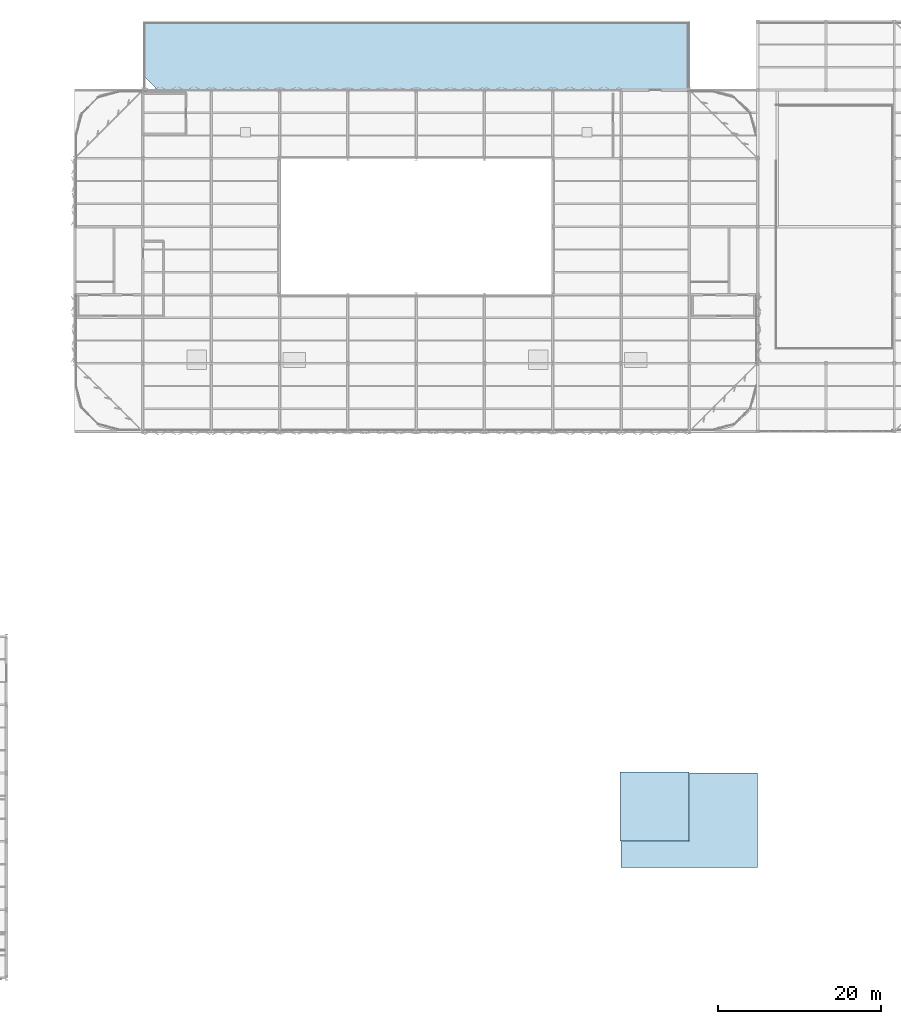
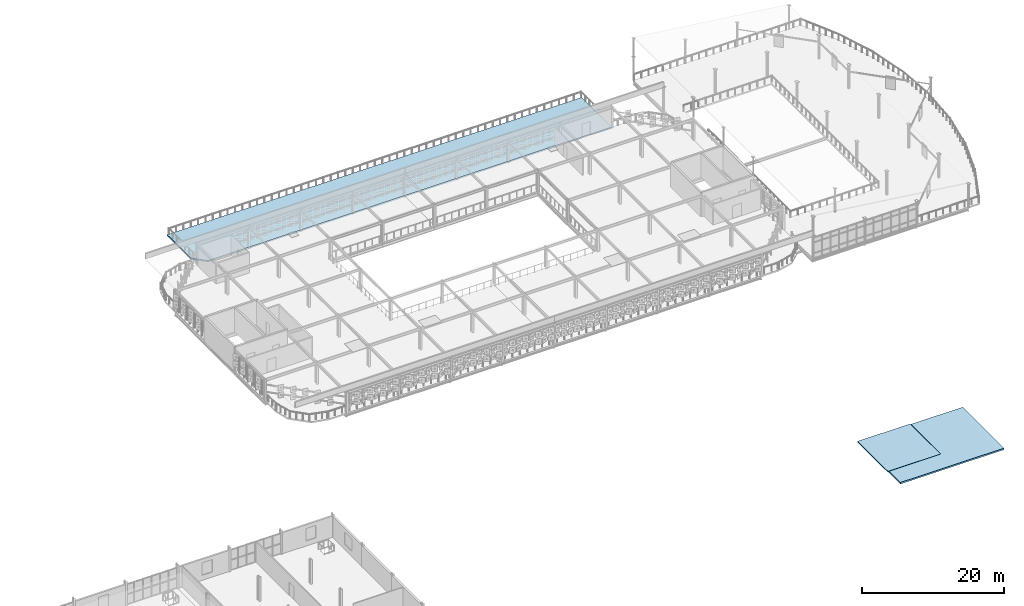
# One storey, part 45 of 65: 3 slabs.
"""IFC4 building model written with IfcOpenShell, lengths in metres."""

from ifc_helpers import new_model, si_unit, direction, frame, origin, place, context, subcontext, project, spatial, polyline, outline, extrude, material, layer, layer_set, type_object, element, save


model = new_model("IFC4")

# Units and contexts
model_context = context("Model", 3, precision=1e-05, world=origin(), true_north=direction((0.0, 1.0)))
body_context = subcontext(model_context, "Body", "Model", "MODEL_VIEW")
ifc_project = project(units=[si_unit("LENGTHUNIT", "METRE"), si_unit("AREAUNIT", "SQUARE_METRE"), si_unit("VOLUMEUNIT", "CUBIC_METRE"), si_unit("PLANEANGLEUNIT", "RADIAN"), si_unit("MASSUNIT", "GRAM", prefix="KILO")], contexts=[model_context])

# Site, building, storey
site_placement = place(None, origin())
site = spatial("IfcSite", under=ifc_project, at=site_placement, CompositionType="ELEMENT")
building_placement = place(site_placement, origin())
building = spatial("IfcBuilding", under=site, at=building_placement, Name="Qalvenar Corner Mobility Hub", CompositionType="ELEMENT")
storey_placement = place(building_placement, frame((0.0, 0.0, 17.39990234375)))
storey = spatial("IfcBuildingStorey", under=building, at=storey_placement, Name="L04", CompositionType="ELEMENT", Elevation=17.39990234375)

# Slabs
ifc_material_1 = material(Name="Concrete C35/45", Category="concrete")
ifc_layer_1 = layer(ifc_material_1, 0.169921875)
ifc_layer_set_1 = layer_set([ifc_layer_1], Name="Concrete C35/45")
slab_type_1 = type_object("IfcSlabType", Name="SLB-ROOF170", PredefinedType="ROOF", material=ifc_layer_set_1)
slab_1_placement = place(storey_placement, frame((0.0, 0.0, -0.169921875)))
element("IfcSlab", 1, at=slab_1_placement, inside=storey, type_object=slab_type_1, Name="Core C6 Overrun Roof Cap Slab", PredefinedType="ROOF", context=body_context, shape_type="SweptSolid", body=[
    extrude(outline(polyline([(125.85009765625, 16.820068359375), (134.3798828125, 16.820068359375), (134.3798828125, 25.35009765625), (125.85009765625, 25.35009765625), (125.85009765625, 16.820068359375)])), origin(), (0.0, 0.0, 1.0), 0.169921875),
])
ifc_material_2 = material(Name="Concrete C35/45", Category="concrete")
ifc_layer_2 = layer(ifc_material_2, 0.260009765625)
ifc_layer_set_2 = layer_set([ifc_layer_2], Name="Concrete C35/45")
slab_type_2 = type_object("IfcSlabType", Name="SLB-ROOF260", PredefinedType="ROOF", material=ifc_layer_set_2)
slab_2_placement = place(storey_placement, frame((0.0, 0.0, -0.260009765625)))
element("IfcSlab", 2, at=slab_2_placement, inside=storey, type_object=slab_type_2, Name="Botanical Lounge Maintenance Roof V6-L03", PredefinedType="ROOF", context=body_context, shape_type="SweptSolid", body=[
    extrude(outline(polyline([(126.0, 13.60009765625), (142.800048828125, 13.60009765625), (142.800048828125, 25.199951171875), (134.39990234375, 25.199951171875), (134.39990234375, 16.800048828125), (126.0, 16.800048828125), (126.0, 13.60009765625)])), origin(), (0.0, 0.0, 1.0), 0.260009765625),
])
ifc_material_3 = material(Name="Concrete C35/45", Category="concrete")
ifc_layer_3 = layer(ifc_material_3, 0.241943359375)
ifc_layer_set_3 = layer_set([ifc_layer_3], Name="Concrete C35/45")
slab_type_3 = type_object("IfcSlabType", Name="SLB-TERR210", PredefinedType="FLOOR", material=ifc_layer_set_3)
slab_3_placement = place(storey_placement, frame((0.0, 0.0, -0.241943359375)))
element("IfcSlab", 3, at=slab_3_placement, inside=storey, type_object=slab_type_3, Name="Walkable Terrace Slab TER-V4-L04", PredefinedType="FLOOR", context=body_context, shape_type="SweptSolid", body=[
    extrude(outline(polyline([(69.0, 109.199951171875), (134.39990234375, 109.199951171875), (134.39990234375, 117.60009765625), (67.199951171875, 117.60009765625), (67.199951171875, 111.0), (69.0, 109.199951171875)])), origin(), (0.0, 0.0, 1.0), 0.241943359375),
])

save(model, "model.ifc")
